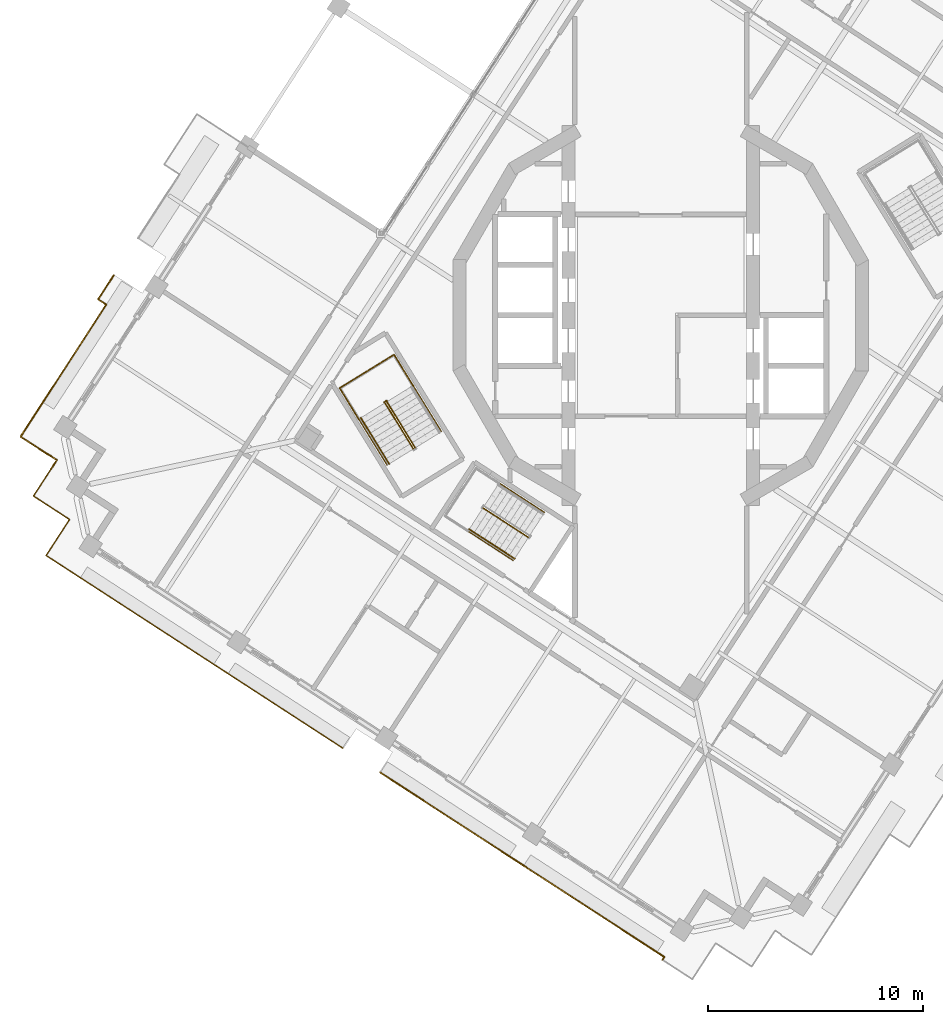
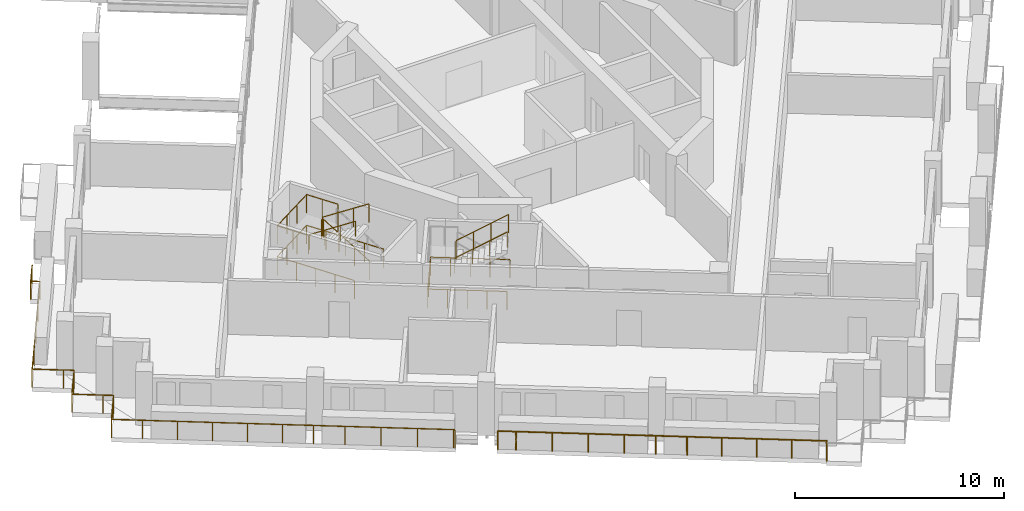
# One storey, part 12 of 17: 11 railings.
"""IFC4 building model written with IfcOpenShell, lengths in metres."""

from ifc_helpers import new_model, si_unit, direction, frame, origin, origin_2d, place, context, subcontext, project, spatial, circle, extrude, material, type_object, element, save


model = new_model("IFC4")

# Units and contexts
model_context = context("Model", 3, precision=1e-05, world=origin(), true_north=direction((0.0, 1.0)))
body_context = subcontext(model_context, "Body", "Model", "MODEL_VIEW")
ifc_project = project(units=[si_unit("LENGTHUNIT", "METRE"), si_unit("AREAUNIT", "SQUARE_METRE"), si_unit("VOLUMEUNIT", "CUBIC_METRE"), si_unit("PLANEANGLEUNIT", "RADIAN"), si_unit("MASSUNIT", "GRAM", prefix="KILO")], contexts=[model_context])

# Site, building, storey
site_placement = place(None, origin())
site = spatial("IfcSite", under=ifc_project, at=site_placement, CompositionType="ELEMENT")
building_placement = place(site_placement, origin())
building = spatial("IfcBuilding", under=site, at=building_placement, Name="Cantera Rosa Tower", CompositionType="ELEMENT")
storey_placement = place(building_placement, frame((0.0, 0.0, 286.5)))
storey = spatial("IfcBuildingStorey", under=building, at=storey_placement, Name="L65", CompositionType="ELEMENT", Elevation=286.5)

# Railings
ifc_material_1 = material(Name="Stainless steel and laminated glass", Category="steel")
railing_type_1 = type_object("IfcRailingType", Name="GUARD 1100", PredefinedType="BALUSTRADE", material=ifc_material_1)
railing_1_placement = place(storey_placement, frame((-28.3720703125, -7.151123046875, 0.0)))
element("IfcRailing", 1, at=railing_1_placement, inside=storey, type_object=railing_type_1, Name="GUARD L65-1", PredefinedType="BALUSTRADE", context=body_context, shape_type="SweptSolid", body=[
    extrude(circle(Radius=0.030029296875, at=origin_2d()), frame((0.0, 0.0, 1.070068359375), z_axis=(0.544627753175, 0.83867789435, 0.0), x_axis=(-0.83867789435, 0.544627753175, 0.0)), (0.0, 0.0, 1.0), 0.499755859375),
    extrude(circle(Radius=0.030029296875, at=origin_2d()), frame((0.272216796875, 0.419189453125, 1.070068359375), z_axis=(-0.838454772945, 0.544971186143, 0.0), x_axis=(-0.544971186143, -0.838454772945, 0.0)), (0.0, 0.0, 1.0), 0.5),
    extrude(circle(Radius=0.030029296875, at=origin_2d()), frame((-0.14697265625, 0.691650390625, 1.070068359375), z_axis=(-0.549177886661, -0.835705479701, 0.0), x_axis=(0.835705479701, -0.549177886661, 0.0)), (0.0, 0.0, 1.0), 0.01025390625),
    extrude(circle(Radius=0.030029296875, at=origin_2d()), frame((-0.152587890625, 0.68310546875, 1.070068359375), z_axis=(-0.838631955589, 0.544698488216, 0.0), x_axis=(-0.544698488216, -0.838631955589, 0.0)), (0.0, 0.0, 1.0), 1.510009765625),
    extrude(circle(Radius=0.030029296875, at=origin_2d()), frame((-1.4189453125, 1.505615234375, 1.070068359375), z_axis=(0.544617010078, 0.838684870696, 0.0), x_axis=(-0.838684870696, 0.544617010078, 0.0)), (0.0, 0.0, 1.0), 7.32666015625),
    extrude(circle(Radius=0.030029296875, at=origin_2d()), frame((2.5712890625, 7.650390625, 1.070068359375), z_axis=(-0.838701967794, 0.544590680437, 0.0), x_axis=(-0.544590680437, -0.838701967794, 0.0)), (0.0, 0.0, 1.0), 0.453125),
    extrude(circle(Radius=0.030029296875, at=origin_2d()), frame((2.191162109375, 7.897216796875, 1.070068359375), z_axis=(0.544730886847, 0.838610911516, 0.0), x_axis=(-0.838610911516, 0.544730886847, 0.0)), (0.0, 0.0, 1.0), 1.333251953125),
    extrude(circle(Radius=0.02490234375, at=origin_2d()), origin(), (0.0, 0.0, 1.0), 1.0400390625),
    extrude(circle(Radius=0.02490234375, at=origin_2d()), frame((0.272216796875, 0.419189453125, 0.0)), (0.0, 0.0, 1.0), 1.0400390625),
    extrude(circle(Radius=0.02490234375, at=origin_2d()), frame((-0.14697265625, 0.691650390625, 0.0)), (0.0, 0.0, 1.0), 1.0400390625),
    extrude(circle(Radius=0.02490234375, at=origin_2d()), frame((-0.152587890625, 0.68310546875, 0.0)), (0.0, 0.0, 1.0), 1.0400390625),
    extrude(circle(Radius=0.02490234375, at=origin_2d()), frame((-1.4189453125, 1.505615234375, 0.0)), (0.0, 0.0, 1.0), 1.0400390625),
    extrude(circle(Radius=0.02490234375, at=origin_2d()), frame((-0.42138671875, 3.041748046875, 0.0)), (0.0, 0.0, 1.0), 1.0400390625),
    extrude(circle(Radius=0.02490234375, at=origin_2d()), frame((0.576171875, 4.578125, 0.0)), (0.0, 0.0, 1.0), 1.0400390625),
    extrude(circle(Radius=0.02490234375, at=origin_2d()), frame((1.57373046875, 6.1142578125, 0.0)), (0.0, 0.0, 1.0), 1.0400390625),
    extrude(circle(Radius=0.02490234375, at=origin_2d()), frame((2.5712890625, 7.650390625, 0.0)), (0.0, 0.0, 1.0), 1.0400390625),
    extrude(circle(Radius=0.02490234375, at=origin_2d()), frame((2.191162109375, 7.897216796875, 0.0)), (0.0, 0.0, 1.0), 1.0400390625),
    extrude(circle(Radius=0.02490234375, at=origin_2d()), frame((2.91748046875, 9.015380859375, 0.0)), (0.0, 0.0, 1.0), 1.0400390625),
])
railing_2_placement = place(storey_placement, frame((-14.7880859375, -20.14599609375, 0.0)))
element("IfcRailing", 2, at=railing_2_placement, inside=storey, type_object=railing_type_1, Name="GUARD L65-2", PredefinedType="BALUSTRADE", context=body_context, shape_type="SweptSolid", body=[
    extrude(circle(Radius=0.030029296875, at=origin_2d()), frame((0.0, 0.0, 1.070068359375), z_axis=(-0.838443616301, 0.544988350595, 0.0), x_axis=(-0.544988350595, -0.838443616301, 0.0)), (0.0, 0.0, 1.0), 0.06982421875),
    extrude(circle(Radius=0.030029296875, at=origin_2d()), frame((-0.05859375, 0.0380859375, 1.070068359375), z_axis=(-0.838657010828, 0.544659910576, 0.0), x_axis=(-0.544659910576, -0.838657010828, 0.0)), (0.0, 0.0, 1.0), 5.2001953125),
    extrude(circle(Radius=0.030029296875, at=origin_2d()), frame((-4.419677734375, 2.870361328125, 1.070068359375), z_axis=(-0.8387001057, 0.544593548161, 0.0), x_axis=(-0.544593548161, -0.8387001057, 0.0)), (0.0, 0.0, 1.0), 3.0),
    extrude(circle(Radius=0.030029296875, at=origin_2d()), frame((-6.935791015625, 4.504150390625, 1.070068359375), z_axis=(-0.838666659313, 0.544645053734, 0.0), x_axis=(-0.544645053734, -0.838666659313, 0.0)), (0.0, 0.0, 1.0), 6.7001953125),
    extrude(circle(Radius=0.030029296875, at=origin_2d()), frame((-12.554931640625, 8.1533203125, 1.070068359375), z_axis=(-0.838651824232, 0.544667896716, 0.0), x_axis=(-0.544667896716, -0.838651824232, 0.0)), (0.0, 0.0, 1.0), 1.499755859375),
    extrude(circle(Radius=0.030029296875, at=origin_2d()), frame((-13.812744140625, 8.97021484375, 1.070068359375), z_axis=(0.544593548161, 0.8387001057, 0.0), x_axis=(-0.8387001057, 0.544593548161, 0.0)), (0.0, 0.0, 1.0), 1.5),
    extrude(circle(Radius=0.030029296875, at=origin_2d()), frame((-12.995849609375, 10.228271484375, 1.070068359375), z_axis=(0.544627753175, 0.83867789435, 0.0), x_axis=(-0.83867789435, 0.544627753175, 0.0)), (0.0, 0.0, 1.0), 0.499755859375),
    extrude(circle(Radius=0.030029296875, at=origin_2d()), frame((-12.7236328125, 10.6474609375, 1.070068359375), z_axis=(-0.838454772945, 0.544971186143, 0.0), x_axis=(-0.544971186143, -0.838454772945, 0.0)), (0.0, 0.0, 1.0), 0.5),
    extrude(circle(Radius=0.030029296875, at=origin_2d()), frame((-13.142822265625, 10.919921875, 1.070068359375), z_axis=(-0.8387001057, 0.544593548161, 0.0), x_axis=(-0.544593548161, -0.8387001057, 0.0)), (0.0, 0.0, 1.0), 1.5),
    extrude(circle(Radius=0.030029296875, at=origin_2d()), frame((-14.40087890625, 11.73681640625, 1.070068359375), z_axis=(0.544593548161, 0.8387001057, 0.0), x_axis=(-0.8387001057, 0.544593548161, 0.0)), (0.0, 0.0, 1.0), 1.5),
    extrude(circle(Radius=0.02490234375, at=origin_2d()), origin(), (0.0, 0.0, 1.0), 1.0400390625),
    extrude(circle(Radius=0.02490234375, at=origin_2d()), frame((-0.05859375, 0.0380859375, 0.0)), (0.0, 0.0, 1.0), 1.0400390625),
    extrude(circle(Radius=0.02490234375, at=origin_2d()), frame((-1.51220703125, 0.982177734375, 0.0)), (0.0, 0.0, 1.0), 1.0400390625),
    extrude(circle(Radius=0.02490234375, at=origin_2d()), frame((-2.966064453125, 1.92626953125, 0.0)), (0.0, 0.0, 1.0), 1.0400390625),
    extrude(circle(Radius=0.02490234375, at=origin_2d()), frame((-4.419677734375, 2.870361328125, 0.0)), (0.0, 0.0, 1.0), 1.0400390625),
    extrude(circle(Radius=0.02490234375, at=origin_2d()), frame((-5.677734375, 3.687255859375, 0.0)), (0.0, 0.0, 1.0), 1.0400390625),
    extrude(circle(Radius=0.02490234375, at=origin_2d()), frame((-6.935791015625, 4.504150390625, 0.0)), (0.0, 0.0, 1.0), 1.0400390625),
    extrude(circle(Radius=0.02490234375, at=origin_2d()), frame((-8.340576171875, 5.41650390625, 0.0)), (0.0, 0.0, 1.0), 1.0400390625),
    extrude(circle(Radius=0.02490234375, at=origin_2d()), frame((-9.745361328125, 6.32861328125, 0.0)), (0.0, 0.0, 1.0), 1.0400390625),
    extrude(circle(Radius=0.02490234375, at=origin_2d()), frame((-11.150146484375, 7.240966796875, 0.0)), (0.0, 0.0, 1.0), 1.0400390625),
    extrude(circle(Radius=0.02490234375, at=origin_2d()), frame((-12.554931640625, 8.1533203125, 0.0)), (0.0, 0.0, 1.0), 1.0400390625),
    extrude(circle(Radius=0.02490234375, at=origin_2d()), frame((-13.812744140625, 8.97021484375, 0.0)), (0.0, 0.0, 1.0), 1.0400390625),
    extrude(circle(Radius=0.02490234375, at=origin_2d()), frame((-12.995849609375, 10.228271484375, 0.0)), (0.0, 0.0, 1.0), 1.0400390625),
    extrude(circle(Radius=0.02490234375, at=origin_2d()), frame((-12.7236328125, 10.6474609375, 0.0)), (0.0, 0.0, 1.0), 1.0400390625),
    extrude(circle(Radius=0.02490234375, at=origin_2d()), frame((-13.142822265625, 10.919921875, 0.0)), (0.0, 0.0, 1.0), 1.0400390625),
    extrude(circle(Radius=0.02490234375, at=origin_2d()), frame((-14.40087890625, 11.73681640625, 0.0)), (0.0, 0.0, 1.0), 1.0400390625),
    extrude(circle(Radius=0.02490234375, at=origin_2d()), frame((-13.583984375, 12.994873046875, 0.0)), (0.0, 0.0, 1.0), 1.0400390625),
])
railing_3_placement = place(storey_placement, frame((0.074462890625, -29.9970703125, 0.0)))
element("IfcRailing", 3, at=railing_3_placement, inside=storey, type_object=railing_type_1, Name="GUARD L65-7", PredefinedType="BALUSTRADE", context=body_context, shape_type="SweptSolid", body=[
    extrude(circle(Radius=0.030029296875, at=origin_2d()), frame((0.0, 0.0, 1.070068359375), z_axis=(0.544885652698, 0.838510360988, 0.0), x_axis=(-0.838510360988, 0.544885652698, 0.0)), (0.0, 0.0, 1.0), 0.167236328125),
    extrude(circle(Radius=0.030029296875, at=origin_2d()), frame((0.091064453125, 0.14013671875, 1.070068359375), z_axis=(-0.838666659313, 0.544645053734, 0.0), x_axis=(-0.544645053734, -0.838666659313, 0.0)), (0.0, 0.0, 1.0), 6.7001953125),
    extrude(circle(Radius=0.030029296875, at=origin_2d()), frame((-5.528076171875, 3.789306640625, 1.070068359375), z_axis=(-0.8387001057, 0.544593548161, 0.0), x_axis=(-0.544593548161, -0.8387001057, 0.0)), (0.0, 0.0, 1.0), 3.0),
    extrude(circle(Radius=0.030029296875, at=origin_2d()), frame((-8.044189453125, 5.423095703125, 1.070068359375), z_axis=(-0.838657010828, 0.544659910576, 0.0), x_axis=(-0.544659910576, -0.838657010828, 0.0)), (0.0, 0.0, 1.0), 5.2001953125),
    extrude(circle(Radius=0.030029296875, at=origin_2d()), frame((-12.4052734375, 8.25537109375, 1.070068359375), z_axis=(-0.838725681888, 0.544554157584, 0.0), x_axis=(-0.544554157584, -0.838725681888, 0.0)), (0.0, 0.0, 1.0), 0.869873046875),
    extrude(circle(Radius=0.02490234375, at=origin_2d()), origin(), (0.0, 0.0, 1.0), 1.0400390625),
    extrude(circle(Radius=0.02490234375, at=origin_2d()), frame((0.091064453125, 0.14013671875, 0.0)), (0.0, 0.0, 1.0), 1.0400390625),
    extrude(circle(Radius=0.02490234375, at=origin_2d()), frame((-1.313720703125, 1.052490234375, 0.0)), (0.0, 0.0, 1.0), 1.0400390625),
    extrude(circle(Radius=0.02490234375, at=origin_2d()), frame((-2.718505859375, 1.96484375, 0.0)), (0.0, 0.0, 1.0), 1.0400390625),
    extrude(circle(Radius=0.02490234375, at=origin_2d()), frame((-4.123291015625, 2.876953125, 0.0)), (0.0, 0.0, 1.0), 1.0400390625),
    extrude(circle(Radius=0.02490234375, at=origin_2d()), frame((-5.528076171875, 3.789306640625, 0.0)), (0.0, 0.0, 1.0), 1.0400390625),
    extrude(circle(Radius=0.02490234375, at=origin_2d()), frame((-6.7861328125, 4.606201171875, 0.0)), (0.0, 0.0, 1.0), 1.0400390625),
    extrude(circle(Radius=0.02490234375, at=origin_2d()), frame((-8.044189453125, 5.423095703125, 0.0)), (0.0, 0.0, 1.0), 1.0400390625),
    extrude(circle(Radius=0.02490234375, at=origin_2d()), frame((-9.497802734375, 6.3671875, 0.0)), (0.0, 0.0, 1.0), 1.0400390625),
    extrude(circle(Radius=0.02490234375, at=origin_2d()), frame((-10.95166015625, 7.311279296875, 0.0)), (0.0, 0.0, 1.0), 1.0400390625),
    extrude(circle(Radius=0.02490234375, at=origin_2d()), frame((-12.4052734375, 8.25537109375, 0.0)), (0.0, 0.0, 1.0), 1.0400390625),
    extrude(circle(Radius=0.02490234375, at=origin_2d()), frame((-13.134765625, 8.72900390625, 0.0)), (0.0, 0.0, 1.0), 1.0400390625),
])
ifc_material_2 = material(Name="Steel S355J2 (EN 10025-2)", Category="steel")
railing_type_2 = type_object("IfcRailingType", Name="STAIR GUARD 1100", PredefinedType="GUARDRAIL", material=ifc_material_2)
railing_4_placement = place(storey_placement, frame((-11.42333984375, -6.165771484375, 0.179931640625)))
element("IfcRailing", 4, at=railing_4_placement, inside=storey, type_object=railing_type_2, Name="L65 ST-52 stair guard 1", PredefinedType="GUARDRAIL", context=body_context, shape_type="SweptSolid", body=[
    extrude(circle(Radius=0.02392578125, at=origin_2d()), frame((0.0, 0.0, 1.076171875), z_axis=(-0.441609067481, 0.715913574058, 0.540785711718), x_axis=(-0.851102330005, -0.524999832248, 0.0)), (0.0, 0.0, 1.0), 2.995849609375),
    extrude(circle(Radius=0.02392578125, at=origin_2d()), frame((-1.322998046875, 2.144775390625, 2.6962890625), z_axis=(-0.073711968402, 0.997279572494, 0.0), x_axis=(-0.997279572494, -0.073711968402, 0.0)), (0.0, 0.0, 1.0), 0.056396484375),
    extrude(circle(Radius=0.02392578125, at=origin_2d()), frame((-1.3271484375, 2.200927734375, 2.6962890625), z_axis=(-0.851546489876, -0.524279100842, 0.0), x_axis=(0.524279100842, -0.851546489876, 0.0)), (0.0, 0.0, 1.0), 0.14990234375),
    extrude(circle(Radius=0.02099609375, at=origin_2d()), origin(), (0.0, 0.0, 1.0), 1.052001953125),
    extrude(circle(Radius=0.02099609375, at=origin_2d()), frame((-0.44091796875, 0.71484375, 0.5400390625)), (0.0, 0.0, 1.0), 1.052001953125),
    extrude(circle(Radius=0.02099609375, at=origin_2d()), frame((-0.882080078125, 1.429931640625, 1.080078125)), (0.0, 0.0, 1.0), 1.052001953125),
    extrude(circle(Radius=0.02099609375, at=origin_2d()), frame((-1.322998046875, 2.144775390625, 1.6201171875)), (0.0, 0.0, 1.0), 1.052001953125),
    extrude(circle(Radius=0.02099609375, at=origin_2d()), frame((-1.3271484375, 2.200927734375, 1.6201171875)), (0.0, 0.0, 1.0), 1.052001953125),
    extrude(circle(Radius=0.02099609375, at=origin_2d()), frame((-1.454833984375, 2.122314453125, 1.6201171875)), (0.0, 0.0, 1.0), 1.052001953125),
])
railing_5_placement = place(storey_placement, frame((-12.82958984375, -4.072509765625, 1.97998046875)))
element("IfcRailing", 5, at=railing_5_placement, inside=storey, type_object=railing_type_2, Name="L65 ST-52 stair guard 2", PredefinedType="GUARDRAIL", context=body_context, shape_type="SweptSolid", body=[
    extrude(circle(Radius=0.02392578125, at=origin_2d()), frame((0.0, 0.0, 1.076171875), z_axis=(0.44154346381, -0.715939337315, 0.540805172729), x_axis=(0.851145618652, 0.524929648476, 0.0)), (0.0, 0.0, 1.0), 2.995849609375),
    extrude(circle(Radius=0.02099609375, at=origin_2d()), origin(), (0.0, 0.0, 1.0), 1.052001953125),
    extrude(circle(Radius=0.02099609375, at=origin_2d()), frame((0.44091796875, -0.71484375, 0.5400390625)), (0.0, 0.0, 1.0), 1.052001953125),
    extrude(circle(Radius=0.02099609375, at=origin_2d()), frame((0.8818359375, -1.429931640625, 1.080078125)), (0.0, 0.0, 1.0), 1.052001953125),
    extrude(circle(Radius=0.02099609375, at=origin_2d()), frame((1.32275390625, -2.144775390625, 1.6201171875)), (0.0, 0.0, 1.0), 1.052001953125),
])
railing_6_placement = place(storey_placement, frame((-10.20751953125, -5.40185546875, 0.0)))
element("IfcRailing", 6, at=railing_6_placement, inside=storey, type_object=railing_type_2, Name="L65 ST-52 stair guard 4", PredefinedType="GUARDRAIL", context=body_context, shape_type="SweptSolid", body=[
    extrude(circle(Radius=0.02392578125, at=origin_2d()), frame((0.0, 0.0, 1.076171875), z_axis=(-0.524976478809, 0.851116735059, 0.0), x_axis=(-0.851116735059, -0.524976478809, 0.0)), (0.0, 0.0, 1.0), 4.197998046875),
    extrude(circle(Radius=0.02392578125, at=origin_2d()), frame((-2.203857421875, 3.572998046875, 1.076171875), z_axis=(-0.851132917336, -0.524950242429, 0.0), x_axis=(0.524950242429, -0.851132917336, 0.0)), (0.0, 0.0, 1.0), 2.969970703125),
    extrude(circle(Radius=0.02392578125, at=origin_2d()), frame((-4.731689453125, 2.013916015625, 1.076171875), z_axis=(0.524976478809, -0.851116735059, 0.0), x_axis=(0.851116735059, 0.524976478809, 0.0)), (0.0, 0.0, 1.0), 4.197998046875),
    extrude(circle(Radius=0.02099609375, at=origin_2d()), origin(), (0.0, 0.0, 1.0), 1.052001953125),
    extrude(circle(Radius=0.02099609375, at=origin_2d()), frame((-0.551025390625, 0.893310546875, 0.0)), (0.0, 0.0, 1.0), 1.052001953125),
    extrude(circle(Radius=0.02099609375, at=origin_2d()), frame((-1.10205078125, 1.78662109375, 0.0)), (0.0, 0.0, 1.0), 1.052001953125),
    extrude(circle(Radius=0.02099609375, at=origin_2d()), frame((-1.65283203125, 2.6796875, 0.0)), (0.0, 0.0, 1.0), 1.052001953125),
    extrude(circle(Radius=0.02099609375, at=origin_2d()), frame((-2.203857421875, 3.572998046875, 0.0)), (0.0, 0.0, 1.0), 1.052001953125),
    extrude(circle(Radius=0.02099609375, at=origin_2d()), frame((-3.04638671875, 3.05322265625, 0.0)), (0.0, 0.0, 1.0), 1.052001953125),
    extrude(circle(Radius=0.02099609375, at=origin_2d()), frame((-3.88916015625, 2.53369140625, 0.0)), (0.0, 0.0, 1.0), 1.052001953125),
    extrude(circle(Radius=0.02099609375, at=origin_2d()), frame((-4.731689453125, 2.013916015625, 0.0)), (0.0, 0.0, 1.0), 1.052001953125),
    extrude(circle(Radius=0.02099609375, at=origin_2d()), frame((-4.1806640625, 1.12060546875, 0.0)), (0.0, 0.0, 1.0), 1.052001953125),
    extrude(circle(Radius=0.02099609375, at=origin_2d()), frame((-3.6298828125, 0.2275390625, 0.0)), (0.0, 0.0, 1.0), 1.052001953125),
    extrude(circle(Radius=0.02099609375, at=origin_2d()), frame((-3.078857421875, -0.665771484375, 0.0)), (0.0, 0.0, 1.0), 1.052001953125),
    extrude(circle(Radius=0.02099609375, at=origin_2d()), frame((-2.52783203125, -1.55908203125, 0.0)), (0.0, 0.0, 1.0), 1.052001953125),
])
railing_7_placement = place(storey_placement, frame((-11.517822265625, -3.27734375, 1.800048828125)))
element("IfcRailing", 7, at=railing_7_placement, inside=storey, type_object=railing_type_2, Name="L65 ST-52 stair guard 5", PredefinedType="GUARDRAIL", context=body_context, shape_type="SweptSolid", body=[
    extrude(circle(Radius=0.02392578125, at=origin_2d()), frame((0.0, 0.0, 1.076171875), z_axis=(-0.525025534833, 0.851086474909, 0.0), x_axis=(-0.851086474909, -0.525025534833, 0.0)), (0.0, 0.0, 1.0), 1.701904296875),
    extrude(circle(Radius=0.02392578125, at=origin_2d()), frame((-0.8935546875, 1.448486328125, 1.076171875), z_axis=(-0.851132917336, -0.524950242429, 0.0), x_axis=(0.524950242429, -0.851132917336, 0.0)), (0.0, 0.0, 1.0), 2.969970703125),
    extrude(circle(Radius=0.02392578125, at=origin_2d()), frame((-3.42138671875, -0.110595703125, 1.076171875), z_axis=(0.524961441845, -0.851126009811, 0.0), x_axis=(0.851126009811, 0.524961441845, 0.0)), (0.0, 0.0, 1.0), 1.7021484375),
    extrude(circle(Radius=0.02099609375, at=origin_2d()), origin(), (0.0, 0.0, 1.0), 1.052001953125),
    extrude(circle(Radius=0.02099609375, at=origin_2d()), frame((-0.44677734375, 0.72412109375, 0.0)), (0.0, 0.0, 1.0), 1.052001953125),
    extrude(circle(Radius=0.02099609375, at=origin_2d()), frame((-0.8935546875, 1.448486328125, 0.0)), (0.0, 0.0, 1.0), 1.052001953125),
    extrude(circle(Radius=0.02099609375, at=origin_2d()), frame((-1.736083984375, 0.9287109375, 0.0)), (0.0, 0.0, 1.0), 1.052001953125),
    extrude(circle(Radius=0.02099609375, at=origin_2d()), frame((-2.578857421875, 0.4091796875, 0.0)), (0.0, 0.0, 1.0), 1.052001953125),
    extrude(circle(Radius=0.02099609375, at=origin_2d()), frame((-3.42138671875, -0.110595703125, 0.0)), (0.0, 0.0, 1.0), 1.052001953125),
    extrude(circle(Radius=0.02099609375, at=origin_2d()), frame((-2.974609375, -0.8349609375, 0.0)), (0.0, 0.0, 1.0), 1.052001953125),
    extrude(circle(Radius=0.02099609375, at=origin_2d()), frame((-2.52783203125, -1.559326171875, 0.0)), (0.0, 0.0, 1.0), 1.052001953125),
])
railing_8_placement = place(storey_placement, frame((-8.270751953125, -8.963134765625, 1.97998046875)))
element("IfcRailing", 8, at=railing_8_placement, inside=storey, type_object=railing_type_2, Name="L65 ST-53 stair guard 2", PredefinedType="GUARDRAIL", context=body_context, shape_type="SweptSolid", body=[
    extrude(circle(Radius=0.02392578125, at=origin_2d()), frame((0.0, 0.0, 1.076171875), z_axis=(0.705447416084, -0.4581007308, 0.540821286175), x_axis=(0.54462048956, 0.838682611213, 0.0)), (0.0, 0.0, 1.0), 2.99560546875),
    extrude(circle(Radius=0.02099609375, at=origin_2d()), origin(), (0.0, 0.0, 1.0), 1.052001953125),
    extrude(circle(Radius=0.02099609375, at=origin_2d()), frame((0.704345703125, -0.45751953125, 0.5400390625)), (0.0, 0.0, 1.0), 1.052001953125),
    extrude(circle(Radius=0.02099609375, at=origin_2d()), frame((1.408935546875, -0.914794921875, 1.080078125)), (0.0, 0.0, 1.0), 1.052001953125),
    extrude(circle(Radius=0.02099609375, at=origin_2d()), frame((2.11328125, -1.372314453125, 1.6201171875)), (0.0, 0.0, 1.0), 1.052001953125),
])
railing_9_placement = place(storey_placement, frame((-5.41357421875, -9.168212890625, 0.0)))
element("IfcRailing", 9, at=railing_9_placement, inside=storey, type_object=railing_type_2, Name="L65 ST-53 stair guard 4", PredefinedType="GUARDRAIL", context=body_context, shape_type="SweptSolid", body=[
    extrude(circle(Radius=0.02392578125, at=origin_2d()), frame((0.0, 0.0, 1.076171875), z_axis=(-0.838665308336, 0.544647134018, 0.0), x_axis=(-0.544647134018, -0.838665308336, 0.0)), (0.0, 0.0, 1.0), 3.798095703125),
    extrude(circle(Radius=0.02392578125, at=origin_2d()), frame((-3.185302734375, 2.068603515625, 1.076171875), z_axis=(-0.544679779991, -0.838644106442, 0.0), x_axis=(0.838644106442, -0.544679779991, 0.0)), (0.0, 0.0, 1.0), 2.670166015625),
    extrude(circle(Radius=0.02392578125, at=origin_2d()), frame((-4.6396484375, -0.170654296875, 1.076171875), z_axis=(0.838665308336, -0.544647134018, 0.0), x_axis=(0.544647134018, 0.838665308336, 0.0)), (0.0, 0.0, 1.0), 3.798095703125),
    extrude(circle(Radius=0.02099609375, at=origin_2d()), origin(), (0.0, 0.0, 1.0), 1.052001953125),
    extrude(circle(Radius=0.02099609375, at=origin_2d()), frame((-0.79638671875, 0.51708984375, 0.0)), (0.0, 0.0, 1.0), 1.052001953125),
    extrude(circle(Radius=0.02099609375, at=origin_2d()), frame((-1.5927734375, 1.0341796875, 0.0)), (0.0, 0.0, 1.0), 1.052001953125),
    extrude(circle(Radius=0.02099609375, at=origin_2d()), frame((-2.388916015625, 1.551513671875, 0.0)), (0.0, 0.0, 1.0), 1.052001953125),
    extrude(circle(Radius=0.02099609375, at=origin_2d()), frame((-3.185302734375, 2.068603515625, 0.0)), (0.0, 0.0, 1.0), 1.052001953125),
    extrude(circle(Radius=0.02099609375, at=origin_2d()), frame((-3.670166015625, 1.322265625, 0.0)), (0.0, 0.0, 1.0), 1.052001953125),
    extrude(circle(Radius=0.02099609375, at=origin_2d()), frame((-4.15478515625, 0.57568359375, 0.0)), (0.0, 0.0, 1.0), 1.052001953125),
    extrude(circle(Radius=0.02099609375, at=origin_2d()), frame((-4.6396484375, -0.170654296875, 0.0)), (0.0, 0.0, 1.0), 1.052001953125),
    extrude(circle(Radius=0.02099609375, at=origin_2d()), frame((-3.84326171875, -0.687744140625, 0.0)), (0.0, 0.0, 1.0), 1.052001953125),
    extrude(circle(Radius=0.02099609375, at=origin_2d()), frame((-3.046875, -1.205078125, 0.0)), (0.0, 0.0, 1.0), 1.052001953125),
    extrude(circle(Radius=0.02099609375, at=origin_2d()), frame((-2.250732421875, -1.72216796875, 0.0)), (0.0, 0.0, 1.0), 1.052001953125),
    extrude(circle(Radius=0.02099609375, at=origin_2d()), frame((-1.454345703125, -2.2392578125, 0.0)), (0.0, 0.0, 1.0), 1.052001953125),
])
ifc_material_3 = material(Name="Steel S355J2 (EN 10025-2)", Category="steel")
railing_type_3 = type_object("IfcRailingType", Name="STAIR HANDRAIL 900", PredefinedType="HANDRAIL", material=ifc_material_3)
railing_10_placement = place(storey_placement, frame((-13.958251953125, -4.7685546875, 1.97998046875)))
element("IfcRailing", 10, at=railing_10_placement, inside=storey, type_object=railing_type_3, Name="L65 ST-52 stair handrail 2", PredefinedType="HANDRAIL", context=body_context, shape_type="SweptSolid", body=[
    extrude(circle(Radius=0.02392578125, at=origin_2d()), frame((0.0, 0.0, 0.8759765625), z_axis=(0.441609067481, -0.715913574058, 0.540785711718), x_axis=(0.851102330005, 0.524999832248, 0.0)), (0.0, 0.0, 1.0), 2.995849609375),
    extrude(circle(Radius=0.02099609375, at=origin_2d()), origin(), (0.0, 0.0, 1.0), 0.851806640625),
    extrude(circle(Radius=0.02099609375, at=origin_2d()), frame((0.44091796875, -0.71484375, 0.5400390625)), (0.0, 0.0, 1.0), 0.851806640625),
    extrude(circle(Radius=0.02099609375, at=origin_2d()), frame((0.882080078125, -1.429931640625, 1.080078125)), (0.0, 0.0, 1.0), 0.851806640625),
    extrude(circle(Radius=0.02099609375, at=origin_2d()), frame((1.322998046875, -2.144775390625, 1.6201171875)), (0.0, 0.0, 1.0), 0.851806640625),
])
railing_11_placement = place(storey_placement, frame((-8.911376953125, -9.94921875, 1.97998046875)))
element("IfcRailing", 11, at=railing_11_placement, inside=storey, type_object=railing_type_3, Name="L65 ST-53 stair handrail 2", PredefinedType="HANDRAIL", context=body_context, shape_type="SweptSolid", body=[
    extrude(circle(Radius=0.02392578125, at=origin_2d()), frame((0.0, 0.0, 0.8759765625), z_axis=(0.705462015847, -0.458138784, 0.540770005448), x_axis=(0.544644381691, 0.838667095749, 0.0)), (0.0, 0.0, 1.0), 2.995849609375),
    extrude(circle(Radius=0.02099609375, at=origin_2d()), origin(), (0.0, 0.0, 1.0), 0.851806640625),
    extrude(circle(Radius=0.02099609375, at=origin_2d()), frame((0.70458984375, -0.45751953125, 0.5400390625)), (0.0, 0.0, 1.0), 0.851806640625),
    extrude(circle(Radius=0.02099609375, at=origin_2d()), frame((1.408935546875, -0.9150390625, 1.080078125)), (0.0, 0.0, 1.0), 0.851806640625),
    extrude(circle(Radius=0.02099609375, at=origin_2d()), frame((2.113525390625, -1.37255859375, 1.6201171875)), (0.0, 0.0, 1.0), 0.851806640625),
])

save(model, "model.ifc")
